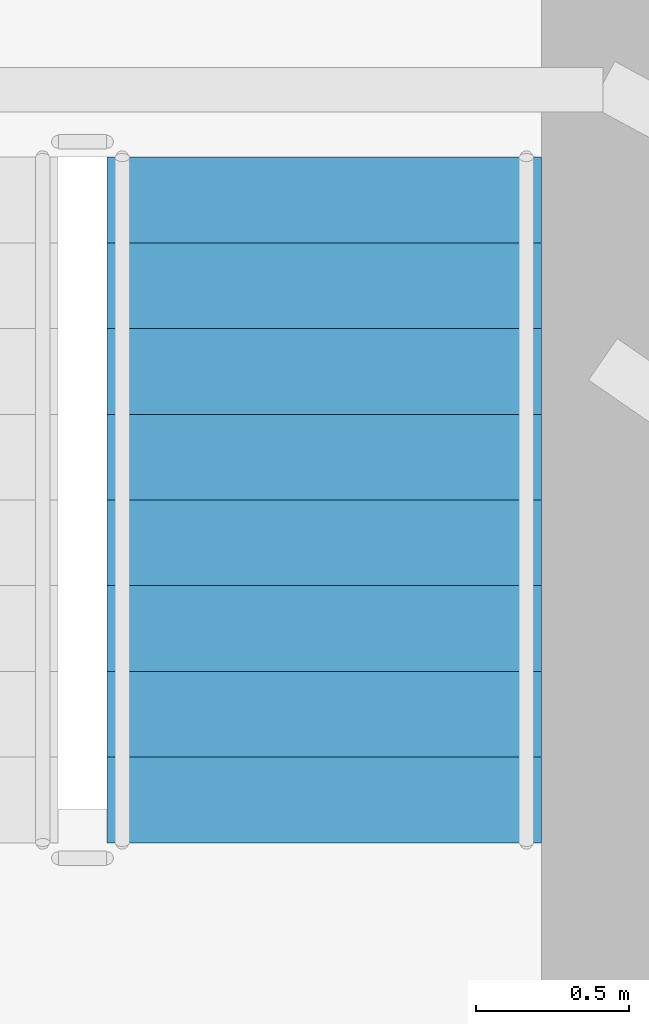
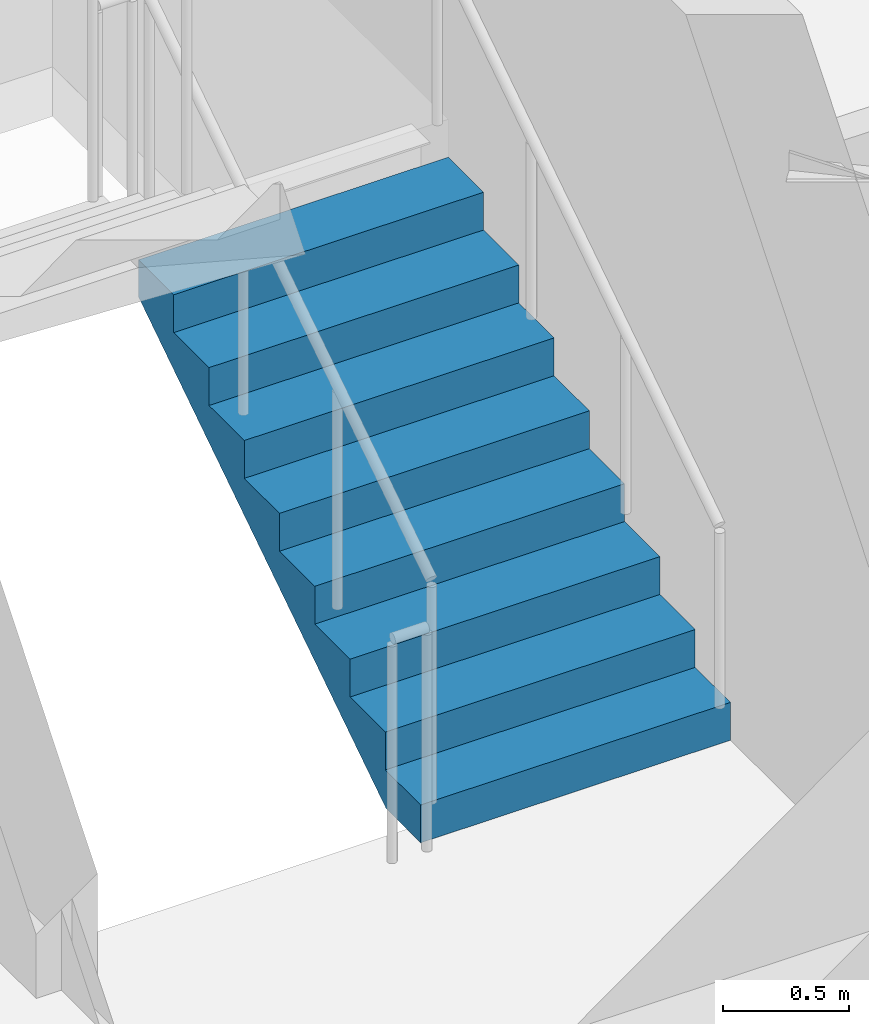
# One storey, part 27 of 30: 1 stair flight, 1 element without a shape of its own.
"""IFC4 building model written with IfcOpenShell, lengths in metres."""

from ifc_helpers import new_model, si_unit, direction, frame, origin, place, context, subcontext, project, spatial, polyline, outline, extrude, material, type_object, element, aggregate, save


model = new_model("IFC4")

# Units and contexts
model_context = context("Model", 3, precision=1e-05, world=origin(), true_north=direction((0.0, 1.0)))
body_context = subcontext(model_context, "Body", "Model", "MODEL_VIEW")
ifc_project = project(units=[si_unit("LENGTHUNIT", "METRE"), si_unit("AREAUNIT", "SQUARE_METRE"), si_unit("VOLUMEUNIT", "CUBIC_METRE"), si_unit("PLANEANGLEUNIT", "RADIAN"), si_unit("MASSUNIT", "GRAM", prefix="KILO")], contexts=[model_context])

# Site, building, storey
site_placement = place(None, origin())
site = spatial("IfcSite", under=ifc_project, at=site_placement, CompositionType="ELEMENT")
building_placement = place(site_placement, origin())
building = spatial("IfcBuilding", under=site, at=building_placement, Name="Orvanel Arch Residences", CompositionType="ELEMENT")
storey_placement = place(building_placement, frame((0.0, 0.0, 136.39990234375)))
storey = spatial("IfcBuildingStorey", under=building, at=storey_placement, Name="L38", CompositionType="ELEMENT", Elevation=136.39990234375)

# Stair, stair flight
ifc_material = material(Name="Precast concrete N50 (50 MPa)", Category="concrete")
stair_type = type_object("IfcStairType", Name="STR-DOG-184", PredefinedType="USERDEFINED", material=ifc_material)
stair_placement = place(storey_placement, origin())
stair = element("IfcStair", 1, at=stair_placement, inside=storey, type_object=stair_type, Name="L38 Fire-Isolated Core Exit Stair 2", ObjectType="TWO_RETURN_STAIR", PredefinedType="USERDEFINED")
stair_flight_type = type_object("IfcStairFlightType", Name="SFL-C2-184", PredefinedType="STRAIGHT", material=ifc_material)
stair_flight_placement = place(storey_placement, frame((38.68994140625, 28.320068359375, 0.0), z_axis=(0.0, 0.0, 1.0), x_axis=(0.0, 1.0, 0.0)))
stair_flight = element("IfcStairFlight", 2, at=stair_flight_placement, type_object=stair_flight_type, Name="ST-2 flight 1", NumberOfRisers=9, NumberOfTreads=8, PredefinedType="STRAIGHT", RiserHeight=0.183333333, TreadLength=0.28, context=body_context, shape_type="SweptSolid", body=[
    extrude(outline(polyline([(0.0, 0.0), (0.0, 0.183349609375), (0.280029296875, 0.183349609375), (0.280029296875, 0.36669921875), (0.56005859375, 0.36669921875), (0.56005859375, 0.550048828125), (0.840087890625, 0.550048828125), (0.840087890625, 0.7333984375), (1.1201171875, 0.7333984375), (1.1201171875, 0.916748046875), (1.39990234375, 0.916748046875), (1.39990234375, 1.10009765625), (1.679931640625, 1.10009765625), (1.679931640625, 1.283447265625), (1.9599609375, 1.283447265625), (1.9599609375, 1.466552734375), (2.239990234375, 1.466552734375), (2.239990234375, 1.64990234375), (2.239990234375, 1.28759765625), (0.273681640625, 0.0), (0.0, 0.0)])), frame((0.0, 0.7099609375, 0.0), z_axis=(0.0, -1.0, 0.0), x_axis=(1.0, 0.0, 0.0)), (0.0, 0.0, 1.0), 1.419921875),
])
aggregate(stair, [stair_flight])

save(model, "model.ifc")
